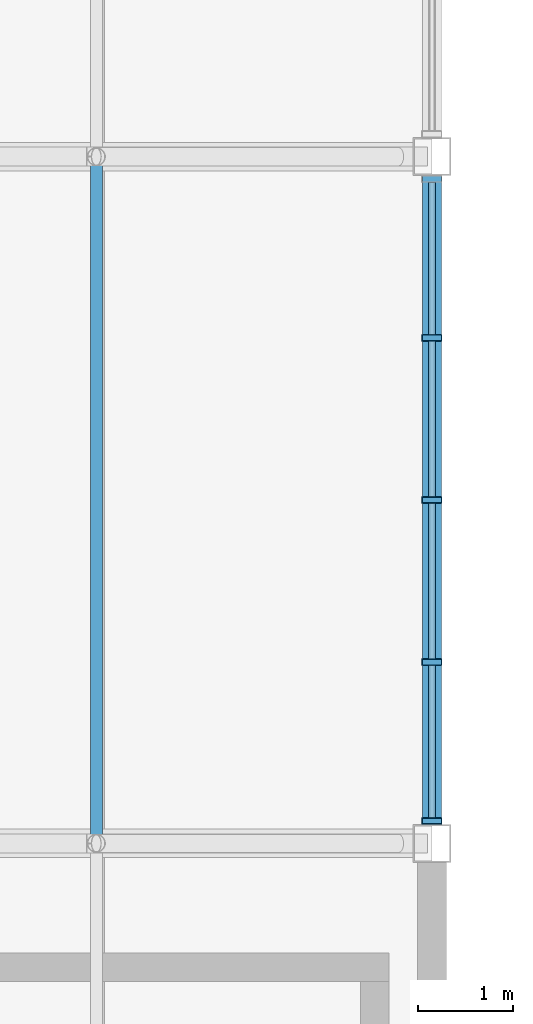
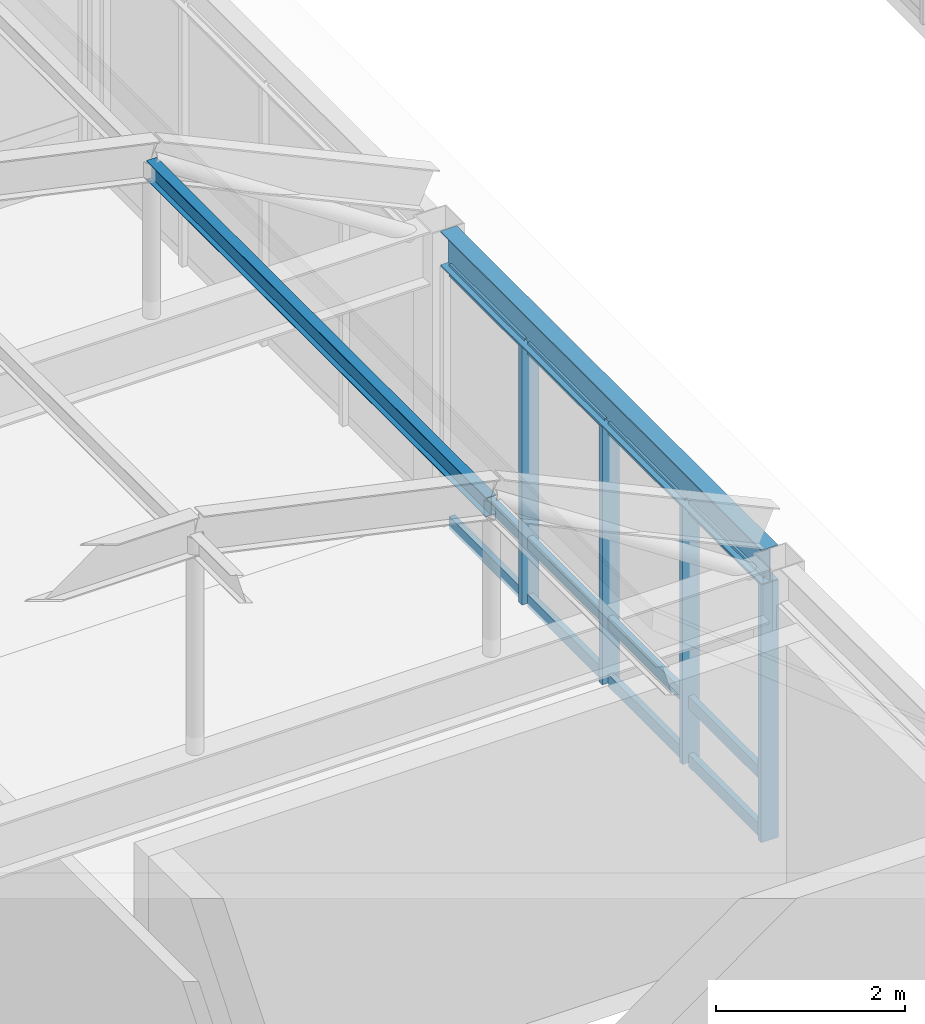
# One storey, part 51 of 106: 17 members, 1 beam, 1 element without a shape of its own.
"""IFC4 building model written with IfcOpenShell, lengths in metres."""

from ifc_helpers import new_model, si_unit, direction, frame, origin, origin_2d, place, context, subcontext, project, spatial, hollow_rectangle, i_section, extrude, material, material_profile, profile_set, type_object, element, aggregate, save


model = new_model("IFC4")

# Units and contexts
model_context = context("Model", 3, precision=1e-05, world=origin(), true_north=direction((0.0, 1.0)))
body_context = subcontext(model_context, "Body", "Model", "MODEL_VIEW")
ifc_project = project(units=[si_unit("LENGTHUNIT", "METRE"), si_unit("AREAUNIT", "SQUARE_METRE"), si_unit("VOLUMEUNIT", "CUBIC_METRE"), si_unit("PLANEANGLEUNIT", "RADIAN"), si_unit("MASSUNIT", "GRAM", prefix="KILO")], contexts=[model_context])

# Site, building, storey
site_placement = place(None, origin())
site = spatial("IfcSite", under=ifc_project, at=site_placement, CompositionType="ELEMENT")
building_placement = place(site_placement, origin())
building = spatial("IfcBuilding", under=site, at=building_placement, Name="Kazanami Central Library", CompositionType="ELEMENT")
storey_placement = place(building_placement, frame((0.0, 0.0, 12.800048828125)))
storey = spatial("IfcBuildingStorey", under=building, at=storey_placement, Name="L04", CompositionType="ELEMENT", Elevation=12.800048828125)

# Beam
ifc_material_1 = material(Name="Steel SN490B (325 MPa)", Category="steel")
ifc_material_profile_1 = material_profile(ifc_material_1, i_section(OverallWidth=0.199951171875, OverallDepth=0.449951171875, WebThickness=0.009033203125, FlangeThickness=0.013916015625, at=origin_2d()), Name="H-450x200x9x14")
ifc_profile_set_1 = profile_set([ifc_material_profile_1], Name="Steel SN490B (325 MPa)")
beam_type = type_object("IfcBeamType", Name="BM-SP-2", PredefinedType="SPANDREL", material=ifc_profile_set_1)
beam_placement = place(storey_placement, frame((108.0, 79.39794921875, 3.554931640625), z_axis=(0.0, 1.0, 0.0), x_axis=(-1.0, 0.0, 0.0)))
element("IfcBeam", 1, at=beam_placement, inside=storey, type_object=beam_type, Name="Girder SP-2 L04 13/M-N", PredefinedType="SPANDREL", context=body_context, shape_type="SweptSolid", body=[
    extrude(i_section(OverallWidth=0.199951171875, OverallDepth=0.449951171875, WebThickness=0.009033203125, FlangeThickness=0.013916015625, at=origin_2d()), origin(), (0.0, 0.0, 1.0), 6.803955078125),
])

# Curtain wall, members
ifc_material_2 = material(Name="Acid-Etched Low-E Laminated Glass", Category="glass")
curtain_wall_type = type_object("IfcCurtainWallType", Name="CW-6800x3330-M180", PredefinedType="USERDEFINED", material=ifc_material_2)
curtain_wall_placement = place(storey_placement, origin())
curtain_wall = element("IfcCurtainWall", 2, at=curtain_wall_placement, inside=storey, type_object=curtain_wall_type, Name="Covered Link Bridge Curtain Wall CW-44 L04 E-13-11", ObjectType="UNITISED CURTAIN WALL", PredefinedType="USERDEFINED")
ifc_material_3 = material(Name="Anodised Aluminium A6063-T5", Category="aluminium")
ifc_material_profile_2 = material_profile(ifc_material_3, hollow_rectangle(XDim=0.070068359375, YDim=0.2099609375, WallThickness=0.0048828125, at=origin_2d()), Name="ALU-MULL-70x210x5")
ifc_profile_set_2 = profile_set([ifc_material_profile_2], Name="Anodised Aluminium A6063-T5")
member_type_1 = type_object("IfcMemberType", Name="MEM-CW-M1", PredefinedType="MULLION", material=ifc_profile_set_2)
member_1_placement = place(storey_placement, frame((108.0, 84.5, 0.0), z_axis=(0.0, 0.0, 1.0), x_axis=(0.0, -1.0, 0.0)))
member_1 = element("IfcMember", 3, at=member_1_placement, type_object=member_type_1, Name="CW-44 mullion 2", PredefinedType="MULLION", context=body_context, shape_type="SweptSolid", body=[
    extrude(hollow_rectangle(XDim=0.070068359375, YDim=0.2099609375, WallThickness=0.0048828125, at=origin_2d()), origin(), (0.0, 0.0, 1.0), 3.329833984375),
])
member_2_placement = place(storey_placement, frame((108.0, 82.800048828125, 0.0), z_axis=(0.0, 0.0, 1.0), x_axis=(0.0, -1.0, 0.0)))
member_2 = element("IfcMember", 4, at=member_2_placement, type_object=member_type_1, Name="CW-44 mullion 3", PredefinedType="MULLION", context=body_context, shape_type="SweptSolid", body=[
    extrude(hollow_rectangle(XDim=0.070068359375, YDim=0.2099609375, WallThickness=0.0048828125, at=origin_2d()), origin(), (0.0, 0.0, 1.0), 3.329833984375),
])
member_3_placement = place(storey_placement, frame((108.0, 81.10009765625, 0.0), z_axis=(0.0, 0.0, 1.0), x_axis=(0.0, -1.0, 0.0)))
member_3 = element("IfcMember", 5, at=member_3_placement, type_object=member_type_1, Name="CW-44 mullion 4", PredefinedType="MULLION", context=body_context, shape_type="SweptSolid", body=[
    extrude(hollow_rectangle(XDim=0.070068359375, YDim=0.2099609375, WallThickness=0.0048828125, at=origin_2d()), origin(), (0.0, 0.0, 1.0), 3.329833984375),
])
member_4_placement = place(storey_placement, frame((108.0, 79.43505859375, 0.0), z_axis=(0.0, 0.0, 1.0), x_axis=(0.0, -1.0, 0.0)))
member_4 = element("IfcMember", 6, at=member_4_placement, type_object=member_type_1, Name="CW-44 mullion 5", PredefinedType="MULLION", context=body_context, shape_type="SweptSolid", body=[
    extrude(hollow_rectangle(XDim=0.070068359375, YDim=0.2099609375, WallThickness=0.0048828125, at=origin_2d()), origin(), (0.0, 0.0, 1.0), 3.329833984375),
])
ifc_material_profile_3 = material_profile(ifc_material_3, hollow_rectangle(XDim=0.070068359375, YDim=0.159912109375, WallThickness=0.00390625, at=origin_2d()), Name="ALU-TRAN-70x160x4")
ifc_profile_set_3 = profile_set([ifc_material_profile_3], Name="Anodised Aluminium A6063-T5")
member_type_2 = type_object("IfcMemberType", Name="MEM-CW-T1", PredefinedType="USERDEFINED", material=ifc_profile_set_3)
member_5_placement = place(storey_placement, frame((108.0, 86.1298828125, 0.034912109375), z_axis=(0.0, -1.0, 0.0), x_axis=(1.0, 0.0, 0.0)))
member_5 = element("IfcMember", 7, at=member_5_placement, type_object=member_type_2, Name="CW-44 transom 1.1", ObjectType="TRANSOM", PredefinedType="USERDEFINED", context=body_context, shape_type="SweptSolid", body=[
    extrude(hollow_rectangle(XDim=0.070068359375, YDim=0.159912109375, WallThickness=0.00390625, at=origin_2d()), origin(), (0.0, 0.0, 1.0), 1.594970703125),
])
member_6_placement = place(storey_placement, frame((108.0, 86.1298828125, 0.780029296875), z_axis=(0.0, -1.0, 0.0), x_axis=(1.0, 0.0, 0.0)))
member_6 = element("IfcMember", 8, at=member_6_placement, type_object=member_type_2, Name="CW-44 transom 1.2", ObjectType="TRANSOM", PredefinedType="USERDEFINED", context=body_context, shape_type="SweptSolid", body=[
    extrude(hollow_rectangle(XDim=0.070068359375, YDim=0.159912109375, WallThickness=0.00390625, at=origin_2d()), origin(), (0.0, 0.0, 1.0), 1.594970703125),
])
member_7_placement = place(storey_placement, frame((108.0, 86.1298828125, 3.294921875), z_axis=(0.0, -1.0, 0.0), x_axis=(1.0, 0.0, 0.0)))
member_7 = element("IfcMember", 9, at=member_7_placement, type_object=member_type_2, Name="CW-44 transom 1.3", ObjectType="TRANSOM", PredefinedType="USERDEFINED", context=body_context, shape_type="SweptSolid", body=[
    extrude(hollow_rectangle(XDim=0.070068359375, YDim=0.159912109375, WallThickness=0.00390625, at=origin_2d()), origin(), (0.0, 0.0, 1.0), 1.594970703125),
])
member_8_placement = place(storey_placement, frame((108.0, 84.465087890625, 0.034912109375), z_axis=(0.0, -1.0, 0.0), x_axis=(1.0, 0.0, 0.0)))
member_8 = element("IfcMember", 10, at=member_8_placement, type_object=member_type_2, Name="CW-44 transom 2.1", ObjectType="TRANSOM", PredefinedType="USERDEFINED", context=body_context, shape_type="SweptSolid", body=[
    extrude(hollow_rectangle(XDim=0.070068359375, YDim=0.159912109375, WallThickness=0.00390625, at=origin_2d()), origin(), (0.0, 0.0, 1.0), 1.630126953125),
])
member_9_placement = place(storey_placement, frame((108.0, 84.465087890625, 0.780029296875), z_axis=(0.0, -1.0, 0.0), x_axis=(1.0, 0.0, 0.0)))
member_9 = element("IfcMember", 11, at=member_9_placement, type_object=member_type_2, Name="CW-44 transom 2.2", ObjectType="TRANSOM", PredefinedType="USERDEFINED", context=body_context, shape_type="SweptSolid", body=[
    extrude(hollow_rectangle(XDim=0.070068359375, YDim=0.159912109375, WallThickness=0.00390625, at=origin_2d()), origin(), (0.0, 0.0, 1.0), 1.630126953125),
])
member_10_placement = place(storey_placement, frame((108.0, 84.465087890625, 3.294921875), z_axis=(0.0, -1.0, 0.0), x_axis=(1.0, 0.0, 0.0)))
member_10 = element("IfcMember", 12, at=member_10_placement, type_object=member_type_2, Name="CW-44 transom 2.3", ObjectType="TRANSOM", PredefinedType="USERDEFINED", context=body_context, shape_type="SweptSolid", body=[
    extrude(hollow_rectangle(XDim=0.070068359375, YDim=0.159912109375, WallThickness=0.00390625, at=origin_2d()), origin(), (0.0, 0.0, 1.0), 1.630126953125),
])
member_11_placement = place(storey_placement, frame((108.0, 82.764892578125, 0.034912109375), z_axis=(0.0, -1.0, 0.0), x_axis=(1.0, 0.0, 0.0)))
member_11 = element("IfcMember", 13, at=member_11_placement, type_object=member_type_2, Name="CW-44 transom 3.1", ObjectType="TRANSOM", PredefinedType="USERDEFINED", context=body_context, shape_type="SweptSolid", body=[
    extrude(hollow_rectangle(XDim=0.070068359375, YDim=0.159912109375, WallThickness=0.00390625, at=origin_2d()), origin(), (0.0, 0.0, 1.0), 1.6298828125),
])
member_12_placement = place(storey_placement, frame((108.0, 82.764892578125, 0.780029296875), z_axis=(0.0, -1.0, 0.0), x_axis=(1.0, 0.0, 0.0)))
member_12 = element("IfcMember", 14, at=member_12_placement, type_object=member_type_2, Name="CW-44 transom 3.2", ObjectType="TRANSOM", PredefinedType="USERDEFINED", context=body_context, shape_type="SweptSolid", body=[
    extrude(hollow_rectangle(XDim=0.070068359375, YDim=0.159912109375, WallThickness=0.00390625, at=origin_2d()), origin(), (0.0, 0.0, 1.0), 1.6298828125),
])
member_13_placement = place(storey_placement, frame((108.0, 82.764892578125, 3.294921875), z_axis=(0.0, -1.0, 0.0), x_axis=(1.0, 0.0, 0.0)))
member_13 = element("IfcMember", 15, at=member_13_placement, type_object=member_type_2, Name="CW-44 transom 3.3", ObjectType="TRANSOM", PredefinedType="USERDEFINED", context=body_context, shape_type="SweptSolid", body=[
    extrude(hollow_rectangle(XDim=0.070068359375, YDim=0.159912109375, WallThickness=0.00390625, at=origin_2d()), origin(), (0.0, 0.0, 1.0), 1.6298828125),
])
member_14_placement = place(storey_placement, frame((108.0, 81.06494140625, 0.034912109375), z_axis=(0.0, -1.0, 0.0), x_axis=(1.0, 0.0, 0.0)))
member_14 = element("IfcMember", 16, at=member_14_placement, type_object=member_type_2, Name="CW-44 transom 4.1", ObjectType="TRANSOM", PredefinedType="USERDEFINED", context=body_context, shape_type="SweptSolid", body=[
    extrude(hollow_rectangle(XDim=0.070068359375, YDim=0.159912109375, WallThickness=0.00390625, at=origin_2d()), origin(), (0.0, 0.0, 1.0), 1.594970703125),
])
member_15_placement = place(storey_placement, frame((108.0, 81.06494140625, 0.780029296875), z_axis=(0.0, -1.0, 0.0), x_axis=(1.0, 0.0, 0.0)))
member_15 = element("IfcMember", 17, at=member_15_placement, type_object=member_type_2, Name="CW-44 transom 4.2", ObjectType="TRANSOM", PredefinedType="USERDEFINED", context=body_context, shape_type="SweptSolid", body=[
    extrude(hollow_rectangle(XDim=0.070068359375, YDim=0.159912109375, WallThickness=0.00390625, at=origin_2d()), origin(), (0.0, 0.0, 1.0), 1.594970703125),
])
member_16_placement = place(storey_placement, frame((108.0, 81.06494140625, 3.294921875), z_axis=(0.0, -1.0, 0.0), x_axis=(1.0, 0.0, 0.0)))
member_16 = element("IfcMember", 18, at=member_16_placement, type_object=member_type_2, Name="CW-44 transom 4.3", ObjectType="TRANSOM", PredefinedType="USERDEFINED", context=body_context, shape_type="SweptSolid", body=[
    extrude(hollow_rectangle(XDim=0.070068359375, YDim=0.159912109375, WallThickness=0.00390625, at=origin_2d()), origin(), (0.0, 0.0, 1.0), 1.594970703125),
])
aggregate(curtain_wall, [member_1, member_2, member_3, member_4, member_5, member_6, member_7, member_8, member_9, member_10, member_11, member_12, member_13, member_14, member_15, member_16])

# Member
ifc_material_4 = material(Name="Steel SN400B (235 MPa)", Category="steel")
ifc_material_profile_4 = material_profile(ifc_material_4, i_section(OverallWidth=0.125, OverallDepth=0.25, WebThickness=0.006103515625, FlangeThickness=0.009033203125, at=origin_2d()), Name="H-250x125x6x9")
ifc_profile_set_4 = profile_set([ifc_material_profile_4], Name="Steel SN400B (235 MPa)")
member_type_3 = type_object("IfcMemberType", Name="MEM-PUR-250", PredefinedType="PURLIN", material=ifc_profile_set_4)
member_17_placement = place(storey_placement, frame((104.480224609375, 79.205078125, 5.669189453125), z_axis=(0.0, 1.0, 0.0), x_axis=(-1.0, 0.0, 0.0)))
element("IfcMember", 19, at=member_17_placement, inside=storey, type_object=member_type_3, Name="Barrel Vault Longitudinal Purlin VAULT-EAST Knuckle 4.3", PredefinedType="PURLIN", context=body_context, shape_type="SweptSolid", body=[
    extrude(i_section(OverallWidth=0.125, OverallDepth=0.25, WebThickness=0.006103515625, FlangeThickness=0.009033203125, at=origin_2d()), origin(), (0.0, 0.0, 1.0), 7.18994140625),
])

save(model, "model.ifc")
